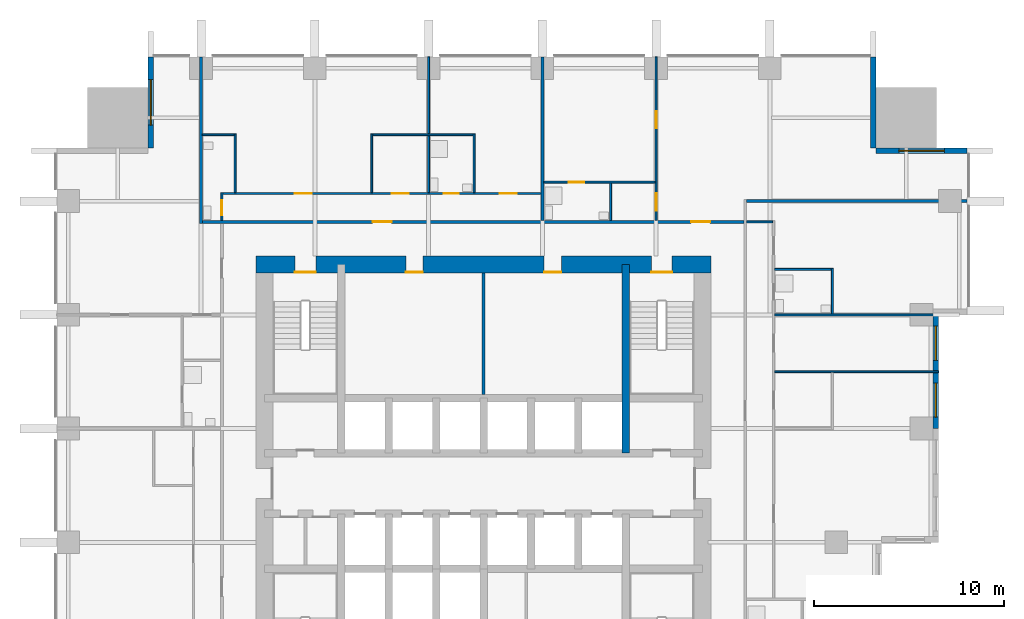
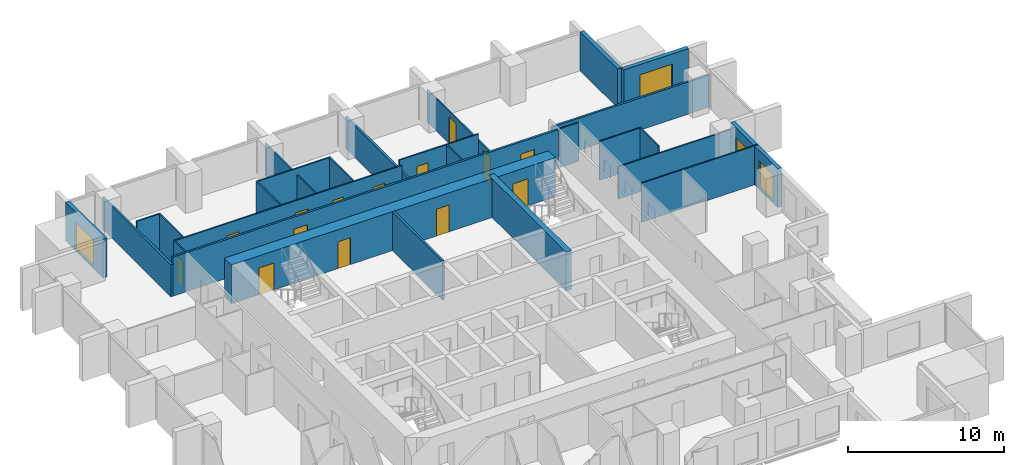
# One storey, part 7 of 10: 27 walls, 14 doors, 4 windows, 18 openings.
"""IFC4 building model written with IfcOpenShell, lengths in metres."""

from ifc_helpers import new_model, si_unit, direction, frame, frame_2d, origin, place, context, subcontext, project, spatial, rectangle, extrude, material, layer, layer_set, type_object, element, fill, save


model = new_model("IFC4")

# Units and contexts
model_context = context("Model", 3, precision=1e-05, world=origin(), true_north=direction((0.0, 1.0)))
body_context = subcontext(model_context, "Body", "Model", "MODEL_VIEW")
ifc_project = project(units=[si_unit("LENGTHUNIT", "METRE"), si_unit("AREAUNIT", "SQUARE_METRE"), si_unit("VOLUMEUNIT", "CUBIC_METRE"), si_unit("PLANEANGLEUNIT", "RADIAN"), si_unit("MASSUNIT", "GRAM", prefix="KILO")], contexts=[model_context])

# Site, building, storey
site_placement = place(None, origin())
site = spatial("IfcSite", under=ifc_project, at=site_placement, CompositionType="ELEMENT")
building_placement = place(site_placement, origin())
building = spatial("IfcBuilding", under=site, at=building_placement, Name="Amberfall Residences", CompositionType="ELEMENT")
storey_placement = place(building_placement, frame((0.0, 0.0, 36.699951171875)))
storey = spatial("IfcBuildingStorey", under=building, at=storey_placement, Name="L09", CompositionType="ELEMENT", Elevation=36.699951171875)

# Wall, opening, window
ifc_material_1 = material(Name="Pale stone cladding on insulated backing", Category="masonry")
ifc_layer_1 = layer(ifc_material_1, 0.300048828125)
ifc_layer_set_1 = layer_set([ifc_layer_1], Name="Bronze clad wall 300")
wall_type_1 = type_object("IfcWallType", Name="Bronze clad wall 300", PredefinedType="SOLIDWALL", material=ifc_layer_set_1)
wall_1_placement = place(storey_placement, frame((100.0, 63.050048828125, 0.0), z_axis=(0.0, 0.0, 1.0), x_axis=(-1.0, 0.0, 0.0)))
wall_1 = element("IfcWall", 1, at=wall_1_placement, inside=storey, type_object=wall_type_1, Name="External wall L09 NE", PredefinedType="SOLIDWALL", context=body_context, shape_type="SweptSolid", body=[
    extrude(rectangle(XDim=4.800048828125, YDim=0.300048828125, at=frame_2d((2.39990234375, 0.0))), origin(), (0.0, 0.0, 1.0), 3.050048828125),
])
opening_1_placement = place(wall_1_placement, frame((1.199951171875, 0.0, 0.14990234375)))
opening_1 = element("IfcOpeningElement", 2, at=opening_1_placement, cuts=wall_1, Name="Opening WN5", PredefinedType="OPENING", context=body_context, shape_type="SweptSolid", body=[
    extrude(rectangle(XDim=2.39990234375, YDim=2.10009765625, at=frame_2d((1.199951171875, 1.050048828125))), frame((0.0, 0.159912109375, 0.0), z_axis=(0.0, -1.0, 0.0), x_axis=(1.0, 0.0, 0.0)), (0.0, 0.0, 1.0), 0.320068359375),
])
ifc_material_2 = material(Name="Bronze aluminium framed glazing", Category="aluminium")
window_type_1 = type_object("IfcWindowType", Name="Glazed opening 2400 x 2100 bronze", PartitioningType="DOUBLE_PANEL_VERTICAL", PredefinedType="WINDOW", material=ifc_material_2)
window_1_placement = place(opening_1_placement, origin())
window_1 = element("IfcWindow", 3, at=window_1_placement, inside=storey, type_object=window_type_1, Name="Window L09 NE", OverallHeight=2.10009765625, OverallWidth=2.39990234375, PartitioningType="DOUBLE_PANEL_VERTICAL", PredefinedType="WINDOW", context=body_context, shape_type="SweptSolid", body=[
    extrude(rectangle(XDim=2.39990234375, YDim=2.10009765625, at=frame_2d((1.199951171875, 1.050048828125))), frame((0.0, 0.030029296875, 0.0), z_axis=(0.0, -1.0, 0.0), x_axis=(1.0, 0.0, 0.0)), (0.0, 0.0, 1.0), 0.06005859375),
])
fill(opening_1, window_1)

# Wall
wall_2_placement = place(storey_placement, frame((95.050048828125, 63.199951171875, 0.0), z_axis=(0.0, 0.0, 1.0), x_axis=(0.0, 1.0, 0.0)))
element("IfcWall", 4, at=wall_2_placement, inside=storey, type_object=wall_type_1, Name="External wall L09 NE", PredefinedType="SOLIDWALL", context=body_context, shape_type="SweptSolid", body=[
    extrude(rectangle(XDim=4.800048828125, YDim=0.300048828125, at=frame_2d((2.39990234375, 0.0))), origin(), (0.0, 0.0, 1.0), 3.050048828125),
])

# Wall, opening, window
wall_3_placement = place(storey_placement, frame((56.949951171875, 68.0, 0.0), z_axis=(0.0, 0.0, 1.0), x_axis=(0.0, -1.0, 0.0)))
wall_3 = element("IfcWall", 5, at=wall_3_placement, inside=storey, type_object=wall_type_1, Name="External wall L09 NW", PredefinedType="SOLIDWALL", context=body_context, shape_type="SweptSolid", body=[
    extrude(rectangle(XDim=4.800048828125, YDim=0.300048828125, at=frame_2d((2.39990234375, 0.0))), origin(), (0.0, 0.0, 1.0), 3.050048828125),
])
opening_2_placement = place(wall_3_placement, frame((1.199951171875, 0.0, 0.14990234375)))
opening_2 = element("IfcOpeningElement", 6, at=opening_2_placement, cuts=wall_3, Name="Opening WN5", PredefinedType="OPENING", context=body_context, shape_type="SweptSolid", body=[
    extrude(rectangle(XDim=2.39990234375, YDim=2.10009765625, at=frame_2d((1.199951171875, 1.050048828125))), frame((0.0, 0.159912109375, 0.0), z_axis=(0.0, -1.0, 0.0), x_axis=(1.0, 0.0, 0.0)), (0.0, 0.0, 1.0), 0.320068359375),
])
window_2_placement = place(opening_2_placement, origin())
window_2 = element("IfcWindow", 7, at=window_2_placement, inside=storey, type_object=window_type_1, Name="Window L09 NW", OverallHeight=2.10009765625, OverallWidth=2.39990234375, PartitioningType="DOUBLE_PANEL_VERTICAL", PredefinedType="WINDOW", context=body_context, shape_type="SweptSolid", body=[
    extrude(rectangle(XDim=2.39990234375, YDim=2.10009765625, at=frame_2d((1.199951171875, 1.050048828125))), frame((0.0, 0.030029296875, 0.0), z_axis=(0.0, -1.0, 0.0), x_axis=(1.0, 0.0, 0.0)), (0.0, 0.0, 1.0), 0.06005859375),
])
fill(opening_2, window_2)

# Wall, openings, windows
wall_4_placement = place(storey_placement, frame((98.35009765625, 48.39990234375, 0.0), z_axis=(0.0, 0.0, 1.0), x_axis=(0.0, 1.0, 0.0)))
wall_4 = element("IfcWall", 8, at=wall_4_placement, inside=storey, type_object=wall_type_1, Name="Stone wall L09 E", PredefinedType="SOLIDWALL", context=body_context, shape_type="SweptSolid", body=[
    extrude(rectangle(XDim=6.0, YDim=0.300048828125, at=frame_2d((3.0, 0.0))), origin(), (0.0, 0.0, 1.0), 3.050048828125),
])
opening_3_placement = place(wall_4_placement, frame((0.60009765625, 0.0, 0.14990234375)))
opening_3 = element("IfcOpeningElement", 9, at=opening_3_placement, cuts=wall_4, Name="Opening WN6", PredefinedType="OPENING", context=body_context, shape_type="SweptSolid", body=[
    extrude(rectangle(XDim=1.800048828125, YDim=2.10009765625, at=frame_2d((0.89990234375, 1.050048828125))), frame((0.0, 0.159912109375, 0.0), z_axis=(0.0, -1.0, 0.0), x_axis=(1.0, 0.0, 0.0)), (0.0, 0.0, 1.0), 0.320068359375),
])
opening_4_placement = place(wall_4_placement, frame((3.60009765625, 0.0, 0.14990234375)))
opening_4 = element("IfcOpeningElement", 10, at=opening_4_placement, cuts=wall_4, Name="Opening WN6", PredefinedType="OPENING", context=body_context, shape_type="SweptSolid", body=[
    extrude(rectangle(XDim=1.800048828125, YDim=2.10009765625, at=frame_2d((0.89990234375, 1.050048828125))), frame((0.0, 0.159912109375, 0.0), z_axis=(0.0, -1.0, 0.0), x_axis=(1.0, 0.0, 0.0)), (0.0, 0.0, 1.0), 0.320068359375),
])
window_type_2 = type_object("IfcWindowType", Name="Glazed opening 1800 x 2100 bronze", PartitioningType="DOUBLE_PANEL_VERTICAL", PredefinedType="WINDOW", material=ifc_material_2)
window_3_placement = place(opening_3_placement, origin())
window_3 = element("IfcWindow", 11, at=window_3_placement, inside=storey, type_object=window_type_2, Name="Window L09 E", OverallHeight=2.10009765625, OverallWidth=1.800048828125, PartitioningType="DOUBLE_PANEL_VERTICAL", PredefinedType="WINDOW", context=body_context, shape_type="SweptSolid", body=[
    extrude(rectangle(XDim=1.800048828125, YDim=2.10009765625, at=frame_2d((0.89990234375, 1.050048828125))), frame((0.0, 0.030029296875, 0.0), z_axis=(0.0, -1.0, 0.0), x_axis=(1.0, 0.0, 0.0)), (0.0, 0.0, 1.0), 0.06005859375),
])
fill(opening_3, window_3)
window_4_placement = place(opening_4_placement, origin())
window_4 = element("IfcWindow", 12, at=window_4_placement, inside=storey, type_object=window_type_2, Name="Window L09 E", OverallHeight=2.10009765625, OverallWidth=1.800048828125, PartitioningType="DOUBLE_PANEL_VERTICAL", PredefinedType="WINDOW", context=body_context, shape_type="SweptSolid", body=[
    extrude(rectangle(XDim=1.800048828125, YDim=2.10009765625, at=frame_2d((0.89990234375, 1.050048828125))), frame((0.0, 0.030029296875, 0.0), z_axis=(0.0, -1.0, 0.0), x_axis=(1.0, 0.0, 0.0)), (0.0, 0.0, 1.0), 0.06005859375),
])
fill(opening_4, window_4)

# Wall
ifc_material_3 = material(Name="Concrete C80", Category="concrete")
ifc_layer_2 = layer(ifc_material_3, 0.39990234375)
ifc_layer_set_2 = layer_set([ifc_layer_2], Name="Core wall 400 C80")
wall_type_2 = type_object("IfcWallType", Name="Core wall 400 C80", PredefinedType="SHEAR", material=ifc_layer_set_2)
wall_5_placement = place(storey_placement, frame((82.0, 47.10009765625, 0.0), z_axis=(0.0, 0.0, 1.0), x_axis=(0.0, 1.0, 0.0)))
element("IfcWall", 13, at=wall_5_placement, inside=storey, type_object=wall_type_2, Name="Core wall RW2 L09 V195N", PredefinedType="SHEAR", context=body_context, shape_type="SweptSolid", body=[
    extrude(rectangle(XDim=9.949951171875, YDim=0.39990234375, at=frame_2d((4.97509765625, 0.0))), origin(), (0.0, 0.0, 1.0), 3.050048828125),
])

# Wall, openings, doors
ifc_layer_3 = layer(ifc_material_3, 0.89990234375)
ifc_layer_set_3 = layer_set([ifc_layer_3], Name="Core wall 900 C80")
wall_type_3 = type_object("IfcWallType", Name="Core wall 900 C80", PredefinedType="SHEAR", material=ifc_layer_set_3)
wall_6_placement = place(storey_placement, frame((62.5, 57.050048828125, 0.0), z_axis=(0.0, 0.0, 1.0), x_axis=(1.0, 0.0, 0.0)))
wall_6 = element("IfcWall", 14, at=wall_6_placement, inside=storey, type_object=wall_type_3, Name="Core wall RW1 L09 ON", PredefinedType="SHEAR", context=body_context, shape_type="SweptSolid", body=[
    extrude(rectangle(XDim=24.0, YDim=0.89990234375, at=frame_2d((12.0, 0.0))), origin(), (0.0, 0.0, 1.0), 3.050048828125),
])
opening_5_placement = place(wall_6_placement, frame((20.85009765625, 0.0, 0.0)))
opening_5 = element("IfcOpeningElement", 15, at=opening_5_placement, cuts=wall_6, Name="Opening SD1", PredefinedType="OPENING", context=body_context, shape_type="SweptSolid", body=[
    extrude(rectangle(XDim=1.10009765625, YDim=2.10009765625, at=frame_2d((0.550048828125, 1.050048828125))), frame((0.0, 0.4599609375, 0.0), z_axis=(0.0, -1.0, 0.0), x_axis=(1.0, 0.0, 0.0)), (0.0, 0.0, 1.0), 0.919921875),
])
opening_6_placement = place(wall_6_placement, frame((2.050048828125, 0.0, 0.0)))
opening_6 = element("IfcOpeningElement", 16, at=opening_6_placement, cuts=wall_6, Name="Opening SD1", PredefinedType="OPENING", context=body_context, shape_type="SweptSolid", body=[
    extrude(rectangle(XDim=1.10009765625, YDim=2.10009765625, at=frame_2d((0.550048828125, 1.050048828125))), frame((0.0, 0.4599609375, 0.0), z_axis=(0.0, -1.0, 0.0), x_axis=(1.0, 0.0, 0.0)), (0.0, 0.0, 1.0), 0.919921875),
])
opening_7_placement = place(wall_6_placement, frame((7.89990234375, 0.0, 0.0)))
opening_7 = element("IfcOpeningElement", 17, at=opening_7_placement, cuts=wall_6, Name="Opening RD1", PredefinedType="OPENING", context=body_context, shape_type="SweptSolid", body=[
    extrude(rectangle(XDim=0.89990234375, YDim=2.10009765625, at=frame_2d((0.449951171875, 1.050048828125))), frame((0.0, 0.4599609375, 0.0), z_axis=(0.0, -1.0, 0.0), x_axis=(1.0, 0.0, 0.0)), (0.0, 0.0, 1.0), 0.919921875),
])
opening_8_placement = place(wall_6_placement, frame((15.199951171875, 0.0, 0.0)))
opening_8 = element("IfcOpeningElement", 18, at=opening_8_placement, cuts=wall_6, Name="Opening RD1", PredefinedType="OPENING", context=body_context, shape_type="SweptSolid", body=[
    extrude(rectangle(XDim=0.89990234375, YDim=2.10009765625, at=frame_2d((0.449951171875, 1.050048828125))), frame((0.0, 0.4599609375, 0.0), z_axis=(0.0, -1.0, 0.0), x_axis=(1.0, 0.0, 0.0)), (0.0, 0.0, 1.0), 0.919921875),
])
ifc_material_4 = material(Name="Steel fire door set", Category="steel")
door_type_1 = type_object("IfcDoorType", Name="Service room door 900 x 2100", OperationType="SINGLE_SWING_LEFT", PredefinedType="DOOR", material=ifc_material_4)
door_1_placement = place(opening_7_placement, origin())
door_1 = element("IfcDoor", 19, at=door_1_placement, inside=storey, type_object=door_type_1, Name="RD1 L09", OperationType="SINGLE_SWING_RIGHT", OverallHeight=2.10009765625, OverallWidth=0.89990234375, PredefinedType="DOOR", context=body_context, shape_type="SweptSolid", body=[
    extrude(rectangle(XDim=0.89990234375, YDim=2.10009765625, at=frame_2d((0.449951171875, 1.050048828125))), frame((0.0, -0.3876953125, 0.0), z_axis=(0.0, -1.0, 0.0), x_axis=(1.0, 0.0, 0.0)), (0.0, 0.0, 1.0), 0.050048828125),
])
fill(opening_7, door_1)
door_2_placement = place(opening_8_placement, origin())
door_2 = element("IfcDoor", 20, at=door_2_placement, inside=storey, type_object=door_type_1, Name="RD1 L09", OperationType="SINGLE_SWING_RIGHT", OverallHeight=2.10009765625, OverallWidth=0.89990234375, PredefinedType="DOOR", context=body_context, shape_type="SweptSolid", body=[
    extrude(rectangle(XDim=0.89990234375, YDim=2.10009765625, at=frame_2d((0.449951171875, 1.050048828125))), frame((0.0, -0.3876953125, 0.0), z_axis=(0.0, -1.0, 0.0), x_axis=(1.0, 0.0, 0.0)), (0.0, 0.0, 1.0), 0.050048828125),
])
fill(opening_8, door_2)
door_type_2 = type_object("IfcDoorType", Name="Stair door 1100 x 2100", OperationType="SINGLE_SWING_LEFT", PredefinedType="DOOR", material=ifc_material_4)
door_3_placement = place(opening_5_placement, origin())
door_3 = element("IfcDoor", 21, at=door_3_placement, inside=storey, type_object=door_type_2, Name="SD1 L09", OperationType="SINGLE_SWING_RIGHT", OverallHeight=2.10009765625, OverallWidth=1.10009765625, PredefinedType="DOOR", context=body_context, shape_type="SweptSolid", body=[
    extrude(rectangle(XDim=1.10009765625, YDim=2.10009765625, at=frame_2d((0.550048828125, 1.050048828125))), frame((0.0, -0.3876953125, 0.0), z_axis=(0.0, -1.0, 0.0), x_axis=(1.0, 0.0, 0.0)), (0.0, 0.0, 1.0), 0.050048828125),
])
fill(opening_5, door_3)
door_4_placement = place(opening_6_placement, origin())
door_4 = element("IfcDoor", 22, at=door_4_placement, inside=storey, type_object=door_type_2, Name="SD1 L09", OperationType="SINGLE_SWING_LEFT", OverallHeight=2.10009765625, OverallWidth=1.10009765625, PredefinedType="DOOR", context=body_context, shape_type="SweptSolid", body=[
    extrude(rectangle(XDim=1.10009765625, YDim=2.10009765625, at=frame_2d((0.550048828125, 1.050048828125))), frame((0.0, -0.3876953125, 0.0), z_axis=(0.0, -1.0, 0.0), x_axis=(1.0, 0.0, 0.0)), (0.0, 0.0, 1.0), 0.050048828125),
])
fill(opening_6, door_4)

# Wall, opening, door
ifc_material_5 = material(Name="Gypsum board on metal stud")
ifc_layer_4 = layer(ifc_material_5, 0.10009765625)
ifc_layer_set_4 = layer_set([ifc_layer_4], Name="Flat partition 100")
wall_type_4 = type_object("IfcWallType", Name="Flat partition 100", PredefinedType="PARTITIONING", material=ifc_layer_set_4)
wall_7_placement = place(storey_placement, frame((60.699951171875, 59.375, 0.0), z_axis=(0.0, 0.0, 1.0), x_axis=(0.0, 1.0, 0.0)))
wall_7 = element("IfcWall", 23, at=wall_7_placement, inside=storey, type_object=wall_type_4, Name="Partition 005", PredefinedType="PARTITIONING", context=body_context, shape_type="SweptSolid", body=[
    extrude(rectangle(XDim=1.47509765625, YDim=0.10009765625, at=frame_2d((0.737548828125, 0.0))), origin(), (0.0, 0.0, 1.0), 3.050048828125),
])
opening_9_placement = place(wall_7_placement, frame((0.27490234375, 0.0, 0.0)))
opening_9 = element("IfcOpeningElement", 24, at=opening_9_placement, cuts=wall_7, Name="Opening D42", PredefinedType="OPENING", context=body_context, shape_type="SweptSolid", body=[
    extrude(rectangle(XDim=0.800048828125, YDim=2.10009765625, at=frame_2d((0.39990234375, 1.050048828125))), frame((0.0, 0.06005859375, 0.0), z_axis=(0.0, -1.0, 0.0), x_axis=(1.0, 0.0, 0.0)), (0.0, 0.0, 1.0), 0.1201171875),
])
ifc_material_6 = material(Name="Timber", Category="wood")
door_type_3 = type_object("IfcDoorType", Name="Bathroom door 800 x 2100", OperationType="SINGLE_SWING_LEFT", PredefinedType="DOOR", material=ifc_material_6)
door_5_placement = place(opening_9_placement, origin())
door_5 = element("IfcDoor", 25, at=door_5_placement, inside=storey, type_object=door_type_3, Name="Door 0905 wc1", OperationType="SINGLE_SWING_LEFT", OverallHeight=2.10009765625, OverallWidth=0.800048828125, PredefinedType="DOOR", context=body_context, shape_type="SweptSolid", body=[
    extrude(rectangle(XDim=0.800048828125, YDim=2.10009765625, at=frame_2d((0.39990234375, 1.050048828125))), frame((0.0, 0.02490234375, 0.0), z_axis=(0.0, -1.0, 0.0), x_axis=(1.0, 0.0, 0.0)), (0.0, 0.0, 1.0), 0.050048828125),
])
fill(opening_9, door_5)

# Walls
for number, where, z_axis, x_axis, name in (
    (26, (61.39990234375, 60.85009765625, 0.0), (0.0, 0.0, 1.0), (0.0, 1.0, 0.0), "Partition 006"),
    (27, (68.60009765625, 60.85009765625, 0.0), (0.0, 0.0, 1.0), (0.0, 1.0, 0.0), "Partition 008"),
):
    element("IfcWall", number, at=place(storey_placement, frame(where, z_axis=z_axis, x_axis=x_axis)), inside=storey, type_object=wall_type_4, Name=name, PredefinedType="PARTITIONING", context=body_context, shape_type="SweptSolid", body=[
        extrude(rectangle(XDim=3.099853515625, YDim=0.10009765625, at=frame_2d((1.5498046875, 0.0))), origin(), (0.0, 0.0, 1.0), 3.050048828125),
    ])
wall_8_placement = place(storey_placement, frame((71.60009765625, 60.85009765625, 0.0), z_axis=(0.0, 0.0, 1.0), x_axis=(0.0, 1.0, 0.0)))
element("IfcWall", 28, at=wall_8_placement, inside=storey, type_object=wall_type_4, Name="Partition 010", PredefinedType="PARTITIONING", context=body_context, shape_type="SweptSolid", body=[
    extrude(rectangle(XDim=7.14990234375, YDim=0.10009765625, at=frame_2d((3.574951171875, 0.0))), origin(), (0.0, 0.0, 1.0), 2.51611328125),
])
wall_9_placement = place(storey_placement, frame((74.0, 60.85009765625, 0.0), z_axis=(0.0, 0.0, 1.0), x_axis=(0.0, 1.0, 0.0)))
element("IfcWall", 29, at=wall_9_placement, inside=storey, type_object=wall_type_4, Name="Partition 011", PredefinedType="PARTITIONING", context=body_context, shape_type="SweptSolid", body=[
    extrude(rectangle(XDim=3.099853515625, YDim=0.10009765625, at=frame_2d((1.5498046875, 0.0))), origin(), (0.0, 0.0, 1.0), 3.050048828125),
])
wall_10_placement = place(storey_placement, frame((81.199951171875, 59.375, 0.0), z_axis=(0.0, 0.0, 1.0), x_axis=(0.0, 1.0, 0.0)))
element("IfcWall", 30, at=wall_10_placement, inside=storey, type_object=wall_type_4, Name="Partition 013", PredefinedType="PARTITIONING", context=body_context, shape_type="SweptSolid", body=[
    extrude(rectangle(XDim=1.97509765625, YDim=0.10009765625, at=frame_2d((0.987548828125, 0.0))), origin(), (0.0, 0.0, 1.0), 3.050048828125),
])

# Wall, openings, doors
wall_11_placement = place(storey_placement, frame((83.60009765625, 59.375, 0.0), z_axis=(0.0, 0.0, 1.0), x_axis=(0.0, 1.0, 0.0)))
wall_11 = element("IfcWall", 31, at=wall_11_placement, inside=storey, type_object=wall_type_4, Name="Partition 015", PredefinedType="PARTITIONING", context=body_context, shape_type="SweptSolid", body=[
    extrude(rectangle(XDim=8.625, YDim=0.10009765625, at=frame_2d((4.3125, 0.0))), origin(), (0.0, 0.0, 1.0), 2.51611328125),
])
opening_10_placement = place(wall_11_placement, frame((0.52490234375, 0.0, 0.0)))
opening_10 = element("IfcOpeningElement", 32, at=opening_10_placement, cuts=wall_11, Name="Opening D41", PredefinedType="OPENING", context=body_context, shape_type="SweptSolid", body=[
    extrude(rectangle(XDim=0.89990234375, YDim=2.10009765625, at=frame_2d((0.449951171875, 1.050048828125))), frame((0.0, 0.06005859375, 0.0), z_axis=(0.0, -1.0, 0.0), x_axis=(1.0, 0.0, 0.0)), (0.0, 0.0, 1.0), 0.1201171875),
])
opening_11_placement = place(wall_11_placement, frame((4.875, 0.0, 0.0)))
opening_11 = element("IfcOpeningElement", 33, at=opening_11_placement, cuts=wall_11, Name="Opening D41", PredefinedType="OPENING", context=body_context, shape_type="SweptSolid", body=[
    extrude(rectangle(XDim=0.89990234375, YDim=2.10009765625, at=frame_2d((0.449951171875, 1.050048828125))), frame((0.0, 0.06005859375, 0.0), z_axis=(0.0, -1.0, 0.0), x_axis=(1.0, 0.0, 0.0)), (0.0, 0.0, 1.0), 0.1201171875),
])
door_type_4 = type_object("IfcDoorType", Name="Internal door 900 x 2100", OperationType="SINGLE_SWING_LEFT", PredefinedType="DOOR", material=ifc_material_6)
door_6_placement = place(opening_10_placement, origin())
door_6 = element("IfcDoor", 34, at=door_6_placement, inside=storey, type_object=door_type_4, Name="Door 0906 kitchen", OperationType="SINGLE_SWING_LEFT", OverallHeight=2.10009765625, OverallWidth=0.89990234375, PredefinedType="DOOR", context=body_context, shape_type="SweptSolid", body=[
    extrude(rectangle(XDim=0.89990234375, YDim=2.10009765625, at=frame_2d((0.449951171875, 1.050048828125))), frame((0.0, 0.02490234375, 0.0), z_axis=(0.0, -1.0, 0.0), x_axis=(1.0, 0.0, 0.0)), (0.0, 0.0, 1.0), 0.050048828125),
])
fill(opening_10, door_6)
door_7_placement = place(opening_11_placement, origin())
door_7 = element("IfcDoor", 35, at=door_7_placement, inside=storey, type_object=door_type_4, Name="Door 0906 bedroom1", OperationType="SINGLE_SWING_LEFT", OverallHeight=2.10009765625, OverallWidth=0.89990234375, PredefinedType="DOOR", context=body_context, shape_type="SweptSolid", body=[
    extrude(rectangle(XDim=0.89990234375, YDim=2.10009765625, at=frame_2d((0.449951171875, 1.050048828125))), frame((0.0, 0.02490234375, 0.0), z_axis=(0.0, -1.0, 0.0), x_axis=(1.0, 0.0, 0.0)), (0.0, 0.0, 1.0), 0.050048828125),
])
fill(opening_11, door_7)

# Walls
wall_12_placement = place(storey_placement, frame((92.89990234375, 54.449951171875, 0.0), z_axis=(0.0, 0.0, 1.0), x_axis=(0.0, 1.0, 0.0)))
element("IfcWall", 36, at=wall_12_placement, inside=storey, type_object=wall_type_4, Name="Partition 021", PredefinedType="PARTITIONING", context=body_context, shape_type="SweptSolid", body=[
    extrude(rectangle(XDim=2.400146484375, YDim=0.10009765625, at=frame_2d((1.2001953125, 0.0))), origin(), (0.0, 0.0, 1.0), 3.050048828125),
])
wall_13_placement = place(storey_placement, frame((59.675048828125, 63.89990234375, 0.0), z_axis=(0.0, 0.0, 1.0), x_axis=(1.0, 0.0, 0.0)))
element("IfcWall", 37, at=wall_13_placement, inside=storey, type_object=wall_type_4, Name="Partition 022", PredefinedType="PARTITIONING", context=body_context, shape_type="SweptSolid", body=[
    extrude(rectangle(XDim=1.675048828125, YDim=0.10009765625, at=frame_2d((0.83740234375, 0.0))), origin(), (0.0, 0.0, 1.0), 3.050048828125),
])
wall_14_placement = place(storey_placement, frame((68.64990234375, 63.89990234375, 0.0), z_axis=(0.0, 0.0, 1.0), x_axis=(1.0, 0.0, 0.0)))
element("IfcWall", 38, at=wall_14_placement, inside=storey, type_object=wall_type_4, Name="Partition 023", PredefinedType="PARTITIONING", context=body_context, shape_type="SweptSolid", body=[
    extrude(rectangle(XDim=5.300048828125, YDim=0.10009765625, at=frame_2d((2.64990234375, 0.0))), origin(), (0.0, 0.0, 1.0), 3.050048828125),
])

# Wall, opening, door
wall_15_placement = place(storey_placement, frame((83.550048828125, 61.39990234375, 0.0), z_axis=(0.0, 0.0, 1.0), x_axis=(-1.0, 0.0, 0.0)))
wall_15 = element("IfcWall", 39, at=wall_15_placement, inside=storey, type_object=wall_type_4, Name="Partition 024", PredefinedType="PARTITIONING", context=body_context, shape_type="SweptSolid", body=[
    extrude(rectangle(XDim=5.875, YDim=0.10009765625, at=frame_2d((2.9375, 0.0))), origin(), (0.0, 0.0, 1.0), 3.050048828125),
])
opening_12_placement = place(wall_15_placement, frame((3.75, 0.0, 0.0)))
opening_12 = element("IfcOpeningElement", 40, at=opening_12_placement, cuts=wall_15, Name="Opening D42", PredefinedType="OPENING", context=body_context, shape_type="SweptSolid", body=[
    extrude(rectangle(XDim=0.800048828125, YDim=2.10009765625, at=frame_2d((0.39990234375, 1.050048828125))), frame((0.0, 0.06005859375, 0.0), z_axis=(0.0, -1.0, 0.0), x_axis=(1.0, 0.0, 0.0)), (0.0, 0.0, 1.0), 0.1201171875),
])
door_8_placement = place(opening_12_placement, origin())
door_8 = element("IfcDoor", 41, at=door_8_placement, inside=storey, type_object=door_type_3, Name="Door 0906 bath1", OperationType="SINGLE_SWING_LEFT", OverallHeight=2.10009765625, OverallWidth=0.800048828125, PredefinedType="DOOR", context=body_context, shape_type="SweptSolid", body=[
    extrude(rectangle(XDim=0.800048828125, YDim=2.10009765625, at=frame_2d((0.39990234375, 1.050048828125))), frame((0.0, 0.02490234375, 0.0), z_axis=(0.0, -1.0, 0.0), x_axis=(1.0, 0.0, 0.0)), (0.0, 0.0, 1.0), 0.050048828125),
])
fill(opening_12, door_8)

# Wall, openings, doors
wall_16_placement = place(storey_placement, frame((60.75, 60.800048828125, 0.0), z_axis=(0.0, 0.0, 1.0), x_axis=(1.0, 0.0, 0.0)))
wall_16 = element("IfcWall", 42, at=wall_16_placement, inside=storey, type_object=wall_type_4, Name="Partition 025", PredefinedType="PARTITIONING", context=body_context, shape_type="SweptSolid", body=[
    extrude(rectangle(XDim=16.77490234375, YDim=0.10009765625, at=frame_2d((8.387451171875, 0.0))), origin(), (0.0, 0.0, 1.0), 3.050048828125),
])
opening_13_placement = place(wall_16_placement, frame((3.800048828125, 0.0, 0.0)))
opening_13 = element("IfcOpeningElement", 43, at=opening_13_placement, cuts=wall_16, Name="Opening D41", PredefinedType="OPENING", context=body_context, shape_type="SweptSolid", body=[
    extrude(rectangle(XDim=0.89990234375, YDim=2.10009765625, at=frame_2d((0.449951171875, 1.050048828125))), frame((0.0, 0.06005859375, 0.0), z_axis=(0.0, -1.0, 0.0), x_axis=(1.0, 0.0, 0.0)), (0.0, 0.0, 1.0), 0.1201171875),
])
opening_14_placement = place(wall_16_placement, frame((8.89990234375, 0.0, 0.0)))
opening_14 = element("IfcOpeningElement", 44, at=opening_14_placement, cuts=wall_16, Name="Opening D41", PredefinedType="OPENING", context=body_context, shape_type="SweptSolid", body=[
    extrude(rectangle(XDim=0.89990234375, YDim=2.10009765625, at=frame_2d((0.449951171875, 1.050048828125))), frame((0.0, 0.06005859375, 0.0), z_axis=(0.0, -1.0, 0.0), x_axis=(1.0, 0.0, 0.0)), (0.0, 0.0, 1.0), 0.1201171875),
])
opening_15_placement = place(wall_16_placement, frame((14.60009765625, 0.0, 0.0)))
opening_15 = element("IfcOpeningElement", 45, at=opening_15_placement, cuts=wall_16, Name="Opening D41", PredefinedType="OPENING", context=body_context, shape_type="SweptSolid", body=[
    extrude(rectangle(XDim=0.89990234375, YDim=2.10009765625, at=frame_2d((0.449951171875, 1.050048828125))), frame((0.0, 0.06005859375, 0.0), z_axis=(0.0, -1.0, 0.0), x_axis=(1.0, 0.0, 0.0)), (0.0, 0.0, 1.0), 0.1201171875),
])
opening_16_placement = place(wall_16_placement, frame((11.64990234375, 0.0, 0.0)))
opening_16 = element("IfcOpeningElement", 46, at=opening_16_placement, cuts=wall_16, Name="Opening D42", PredefinedType="OPENING", context=body_context, shape_type="SweptSolid", body=[
    extrude(rectangle(XDim=0.800048828125, YDim=2.10009765625, at=frame_2d((0.39990234375, 1.050048828125))), frame((0.0, 0.06005859375, 0.0), z_axis=(0.0, -1.0, 0.0), x_axis=(1.0, 0.0, 0.0)), (0.0, 0.0, 1.0), 0.1201171875),
])
door_9_placement = place(opening_16_placement, origin())
door_9 = element("IfcDoor", 47, at=door_9_placement, inside=storey, type_object=door_type_3, Name="Door 0905 bath1", OperationType="SINGLE_SWING_LEFT", OverallHeight=2.10009765625, OverallWidth=0.800048828125, PredefinedType="DOOR", context=body_context, shape_type="SweptSolid", body=[
    extrude(rectangle(XDim=0.800048828125, YDim=2.10009765625, at=frame_2d((0.39990234375, 1.050048828125))), frame((0.0, 0.02490234375, 0.0), z_axis=(0.0, -1.0, 0.0), x_axis=(1.0, 0.0, 0.0)), (0.0, 0.0, 1.0), 0.050048828125),
])
fill(opening_16, door_9)
door_10_placement = place(opening_13_placement, origin())
door_10 = element("IfcDoor", 48, at=door_10_placement, inside=storey, type_object=door_type_4, Name="Door 0905 living", OperationType="SINGLE_SWING_LEFT", OverallHeight=2.10009765625, OverallWidth=0.89990234375, PredefinedType="DOOR", context=body_context, shape_type="SweptSolid", body=[
    extrude(rectangle(XDim=0.89990234375, YDim=2.10009765625, at=frame_2d((0.449951171875, 1.050048828125))), frame((0.0, 0.02490234375, 0.0), z_axis=(0.0, -1.0, 0.0), x_axis=(1.0, 0.0, 0.0)), (0.0, 0.0, 1.0), 0.050048828125),
])
fill(opening_13, door_10)
door_11_placement = place(opening_14_placement, origin())
door_11 = element("IfcDoor", 49, at=door_11_placement, inside=storey, type_object=door_type_4, Name="Door 0905 kitchen", OperationType="SINGLE_SWING_LEFT", OverallHeight=2.10009765625, OverallWidth=0.89990234375, PredefinedType="DOOR", context=body_context, shape_type="SweptSolid", body=[
    extrude(rectangle(XDim=0.89990234375, YDim=2.10009765625, at=frame_2d((0.449951171875, 1.050048828125))), frame((0.0, 0.02490234375, 0.0), z_axis=(0.0, -1.0, 0.0), x_axis=(1.0, 0.0, 0.0)), (0.0, 0.0, 1.0), 0.050048828125),
])
fill(opening_14, door_11)
door_12_placement = place(opening_15_placement, origin())
door_12 = element("IfcDoor", 50, at=door_12_placement, inside=storey, type_object=door_type_4, Name="Door 0905 bedroom1", OperationType="SINGLE_SWING_LEFT", OverallHeight=2.10009765625, OverallWidth=0.89990234375, PredefinedType="DOOR", context=body_context, shape_type="SweptSolid", body=[
    extrude(rectangle(XDim=0.89990234375, YDim=2.10009765625, at=frame_2d((0.449951171875, 1.050048828125))), frame((0.0, 0.02490234375, 0.0), z_axis=(0.0, -1.0, 0.0), x_axis=(1.0, 0.0, 0.0)), (0.0, 0.0, 1.0), 0.050048828125),
])
fill(opening_15, door_12)

# Walls
wall_17_placement = place(storey_placement, frame((88.375, 59.300048828125, 0.0), z_axis=(0.0, 0.0, 1.0), x_axis=(1.0, 0.0, 0.0)))
element("IfcWall", 51, at=wall_17_placement, inside=storey, type_object=wall_type_4, Name="Partition 026", PredefinedType="PARTITIONING", context=body_context, shape_type="SweptSolid", body=[
    extrude(rectangle(XDim=1.375, YDim=0.10009765625, at=frame_2d((0.6875, 0.0))), origin(), (0.0, 0.0, 1.0), 3.050048828125),
])
wall_18_placement = place(storey_placement, frame((89.85009765625, 56.800048828125, 0.0), z_axis=(0.0, 0.0, 1.0), x_axis=(1.0, 0.0, 0.0)))
element("IfcWall", 52, at=wall_18_placement, inside=storey, type_object=wall_type_4, Name="Partition 027", PredefinedType="PARTITIONING", context=body_context, shape_type="SweptSolid", body=[
    extrude(rectangle(XDim=3.0, YDim=0.10009765625, at=frame_2d((1.5, 0.0))), origin(), (0.0, 0.0, 1.0), 3.050048828125),
])
wall_19_placement = place(storey_placement, frame((89.85009765625, 54.39990234375, 0.0), z_axis=(0.0, 0.0, 1.0), x_axis=(1.0, 0.0, 0.0)))
element("IfcWall", 53, at=wall_19_placement, inside=storey, type_object=wall_type_4, Name="Partition 029", PredefinedType="PARTITIONING", context=body_context, shape_type="SweptSolid", body=[
    extrude(rectangle(XDim=8.64990234375, YDim=0.10009765625, at=frame_2d((4.324951171875, 0.0))), origin(), (0.0, 0.0, 1.0), 2.51611328125),
])
wall_20_placement = place(storey_placement, frame((89.85009765625, 51.39990234375, 0.0), z_axis=(0.0, 0.0, 1.0), x_axis=(1.0, 0.0, 0.0)))
element("IfcWall", 54, at=wall_20_placement, inside=storey, type_object=wall_type_4, Name="Partition 031", PredefinedType="PARTITIONING", context=body_context, shape_type="SweptSolid", body=[
    extrude(rectangle(XDim=8.64990234375, YDim=0.10009765625, at=frame_2d((4.324951171875, 0.0))), origin(), (0.0, 0.0, 1.0), 3.050048828125),
])
ifc_material_7 = material(Name="Blockwork, plastered", Category="masonry")
ifc_layer_5 = layer(ifc_material_7, 0.14990234375)
ifc_layer_set_5 = layer_set([ifc_layer_5], Name="Flat separating wall 150")
wall_type_5 = type_object("IfcWallType", Name="Flat separating wall 150", PredefinedType="PARTITIONING", material=ifc_layer_set_5)
wall_21_placement = place(storey_placement, frame((59.60009765625, 59.22509765625, 0.0), z_axis=(0.0, 0.0, 1.0), x_axis=(0.0, 1.0, 0.0)))
element("IfcWall", 55, at=wall_21_placement, inside=storey, type_object=wall_type_5, Name="Separating wall 044", PredefinedType="PARTITIONING", context=body_context, shape_type="SweptSolid", body=[
    extrude(rectangle(XDim=8.77490234375, YDim=0.14990234375, at=frame_2d((4.387451171875, 0.0))), origin(), (0.0, 0.0, 1.0), 2.510009765625),
])
wall_22_placement = place(storey_placement, frame((77.60009765625, 59.375, 0.0), z_axis=(0.0, 0.0, 1.0), x_axis=(0.0, 1.0, 0.0)))
element("IfcWall", 56, at=wall_22_placement, inside=storey, type_object=wall_type_5, Name="Separating wall 047", PredefinedType="PARTITIONING", context=body_context, shape_type="SweptSolid", body=[
    extrude(rectangle(XDim=8.625, YDim=0.14990234375, at=frame_2d((4.3125, 0.0))), origin(), (0.0, 0.0, 1.0), 2.51611328125),
])
wall_23_placement = place(storey_placement, frame((88.375, 60.39990234375, 0.0), z_axis=(0.0, 0.0, 1.0), x_axis=(1.0, 0.0, 0.0)))
element("IfcWall", 57, at=wall_23_placement, inside=storey, type_object=wall_type_5, Name="Separating wall 050", PredefinedType="PARTITIONING", context=body_context, shape_type="SweptSolid", body=[
    extrude(rectangle(XDim=11.625, YDim=0.14990234375, at=frame_2d((5.8125, 0.0))), origin(), (0.0, 0.0, 1.0), 2.51611328125),
])

# Wall, openings, doors
wall_24_placement = place(storey_placement, frame((59.675048828125, 59.300048828125, 0.0), z_axis=(0.0, 0.0, 1.0), x_axis=(1.0, 0.0, 0.0)))
wall_24 = element("IfcWall", 58, at=wall_24_placement, inside=storey, type_object=wall_type_5, Name="Separating wall 051", PredefinedType="PARTITIONING", context=body_context, shape_type="SweptSolid", body=[
    extrude(rectangle(XDim=28.550048828125, YDim=0.14990234375, at=frame_2d((14.27490234375, 0.0))), origin(), (0.0, 0.0, 1.0), 3.050048828125),
])
opening_17_placement = place(wall_24_placement, frame((8.97509765625, 0.0, 0.0)))
opening_17 = element("IfcOpeningElement", 59, at=opening_17_placement, cuts=wall_24, Name="Opening D40", PredefinedType="OPENING", context=body_context, shape_type="SweptSolid", body=[
    extrude(rectangle(XDim=1.0, YDim=2.10009765625, at=frame_2d((0.5, 1.050048828125))), frame((0.0, 0.0849609375, 0.0), z_axis=(0.0, -1.0, 0.0), x_axis=(1.0, 0.0, 0.0)), (0.0, 0.0, 1.0), 0.169921875),
])
opening_18_placement = place(wall_24_placement, frame((25.77490234375, 0.0, 0.0)))
opening_18 = element("IfcOpeningElement", 60, at=opening_18_placement, cuts=wall_24, Name="Opening D40", PredefinedType="OPENING", context=body_context, shape_type="SweptSolid", body=[
    extrude(rectangle(XDim=1.0, YDim=2.10009765625, at=frame_2d((0.5, 1.050048828125))), frame((0.0, 0.0849609375, 0.0), z_axis=(0.0, -1.0, 0.0), x_axis=(1.0, 0.0, 0.0)), (0.0, 0.0, 1.0), 0.169921875),
])
ifc_material_8 = material(Name="Timber, fire-rated", Category="wood")
door_type_5 = type_object("IfcDoorType", Name="Flat entrance door FD60 1000 x 2100", OperationType="SINGLE_SWING_LEFT", PredefinedType="DOOR", material=ifc_material_8)
door_13_placement = place(opening_17_placement, origin())
door_13 = element("IfcDoor", 61, at=door_13_placement, inside=storey, type_object=door_type_5, Name="Door 0905 entrance", OperationType="SINGLE_SWING_LEFT", OverallHeight=2.10009765625, OverallWidth=1.0, PredefinedType="DOOR", context=body_context, shape_type="SweptSolid", body=[
    extrude(rectangle(XDim=1.0, YDim=2.10009765625, at=frame_2d((0.5, 1.050048828125))), frame((0.0, 0.02490234375, 0.0), z_axis=(0.0, -1.0, 0.0), x_axis=(1.0, 0.0, 0.0)), (0.0, 0.0, 1.0), 0.050048828125),
])
fill(opening_17, door_13)
door_14_placement = place(opening_18_placement, origin())
door_14 = element("IfcDoor", 62, at=door_14_placement, inside=storey, type_object=door_type_5, Name="Door 0906 entrance", OperationType="SINGLE_SWING_LEFT", OverallHeight=2.10009765625, OverallWidth=1.0, PredefinedType="DOOR", context=body_context, shape_type="SweptSolid", body=[
    extrude(rectangle(XDim=1.0, YDim=2.10009765625, at=frame_2d((0.5, 1.050048828125))), frame((0.0, 0.02490234375, 0.0), z_axis=(0.0, -1.0, 0.0), x_axis=(1.0, 0.0, 0.0)), (0.0, 0.0, 1.0), 0.050048828125),
])
fill(opening_18, door_14)

# Wall
ifc_material_9 = material(Name="Concrete blockwork", Category="masonry")
ifc_layer_6 = layer(ifc_material_9, 0.14990234375)
ifc_layer_set_6 = layer_set([ifc_layer_6], Name="Riser wall 150")
wall_type_6 = type_object("IfcWallType", Name="Riser wall 150", PredefinedType="PLUMBINGWALL", material=ifc_layer_set_6)
wall_25_placement = place(storey_placement, frame((74.5, 50.199951171875, 0.0), z_axis=(0.0, 0.0, 1.0), x_axis=(0.0, 1.0, 0.0)))
element("IfcWall", 63, at=wall_25_placement, inside=storey, type_object=wall_type_6, Name="L09 core wall N0", PredefinedType="PLUMBINGWALL", context=body_context, shape_type="SweptSolid", body=[
    extrude(rectangle(XDim=6.400146484375, YDim=0.14990234375, at=frame_2d((3.2001953125, 0.0))), origin(), (0.0, 0.0, 1.0), 3.050048828125),
])

save(model, "model.ifc")
